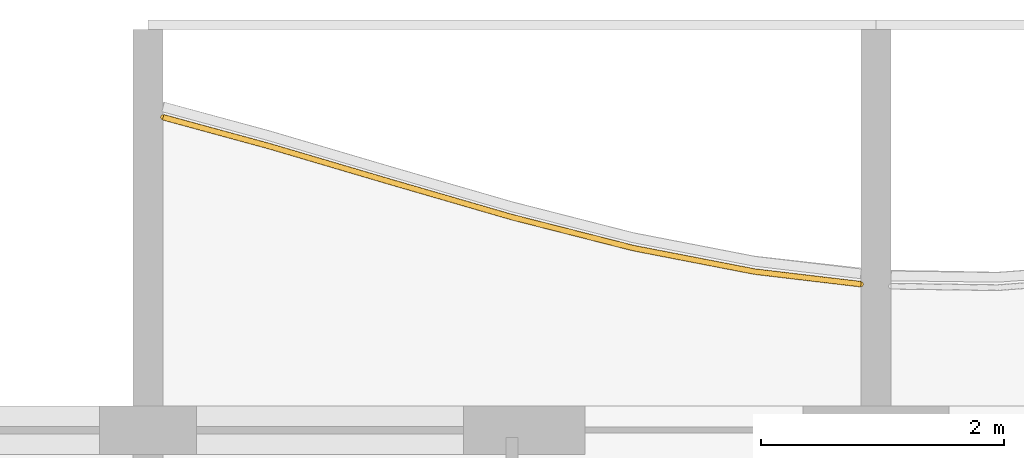
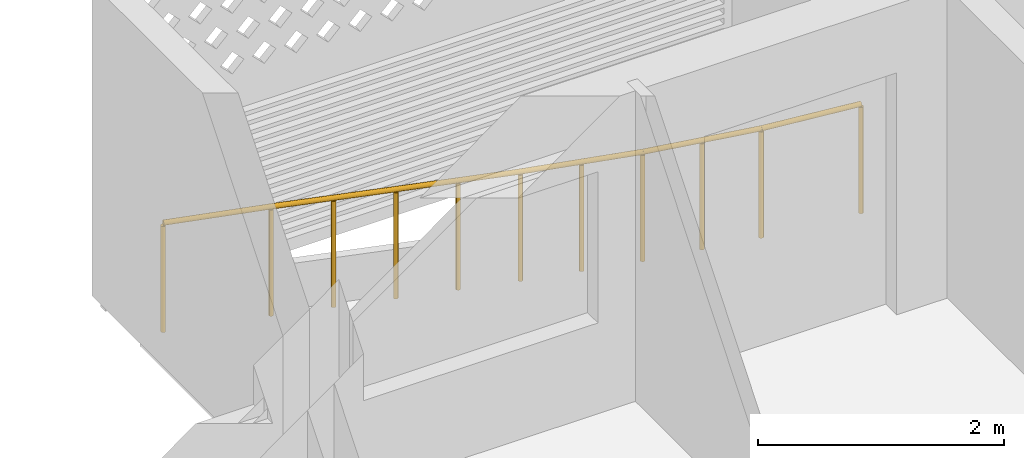
# One storey, part 20 of 27: 1 railing.
"""IFC4 building model written with IfcOpenShell, lengths in metres."""

from ifc_helpers import new_model, si_unit, direction, frame, origin, origin_2d, place, context, subcontext, project, spatial, circle, extrude, material, type_object, element, save


model = new_model("IFC4")

# Units and contexts
model_context = context("Model", 3, precision=1e-05, world=origin(), true_north=direction((0.0, 1.0)))
body_context = subcontext(model_context, "Body", "Model", "MODEL_VIEW")
ifc_project = project(units=[si_unit("LENGTHUNIT", "METRE"), si_unit("AREAUNIT", "SQUARE_METRE"), si_unit("VOLUMEUNIT", "CUBIC_METRE"), si_unit("PLANEANGLEUNIT", "RADIAN"), si_unit("MASSUNIT", "GRAM", prefix="KILO")], contexts=[model_context])

# Site, building, storey
site_placement = place(None, origin())
site = spatial("IfcSite", under=ifc_project, at=site_placement, CompositionType="ELEMENT")
building_placement = place(site_placement, origin())
building = spatial("IfcBuilding", under=site, at=building_placement, Name="Poui Terraces", CompositionType="ELEMENT")
storey_placement = place(building_placement, frame((0.0, 0.0, 254.39990234375)))
storey = spatial("IfcBuildingStorey", under=building, at=storey_placement, Name="L71", CompositionType="ELEMENT", Elevation=254.39990234375)

# Railing
ifc_material = material(Name="Painted steel fretwork", Category="steel")
railing_type = type_object("IfcRailingType", Name="BALCONY GUARD 1100", PredefinedType="GUARDRAIL", material=ifc_material)
railing_placement = place(storey_placement, frame((48.125, 43.77880859375, 0.0)))
element("IfcRailing", 1, at=railing_placement, inside=storey, type_object=railing_type, Name="BALCONY GUARD", PredefinedType="GUARDRAIL", context=body_context, shape_type="SweptSolid", body=[
    extrude(circle(Radius=0.02392578125, at=origin_2d()), frame((0.0, 0.0, 1.076171875), z_axis=(0.964794875477, -0.263003513767, 0.0), x_axis=(0.263003513767, 0.964794875477, 0.0)), (0.0, 0.0, 1.0), 0.906982421875),
    extrude(circle(Radius=0.02392578125, at=origin_2d()), frame((0.875, -0.238525390625, 1.076171875), z_axis=(0.959156425707, -0.282876211488, 0.0), x_axis=(0.282876211488, 0.959156425707, 0.0)), (0.0, 0.0, 1.0), 1.04248046875),
    extrude(circle(Radius=0.02392578125, at=origin_2d()), frame((1.875, -0.533447265625, 1.076171875), z_axis=(0.960419102414, -0.278559056071, 0.0), x_axis=(0.278559056071, 0.960419102414, 0.0)), (0.0, 0.0, 1.0), 1.041259765625),
    extrude(circle(Radius=0.02392578125, at=origin_2d()), frame((2.875, -0.823486328125, 1.076171875), z_axis=(0.969018976325, -0.246986282052, 0.0), x_axis=(0.246986282052, 0.969018976325, 0.0)), (0.0, 0.0, 1.0), 1.031982421875),
    extrude(circle(Radius=0.02392578125, at=origin_2d()), frame((3.875, -1.078369140625, 1.076171875), z_axis=(0.981724998512, -0.190305090044, 0.0), x_axis=(0.190305090044, 0.981724998512, 0.0)), (0.0, 0.0, 1.0), 1.0185546875),
    extrude(circle(Radius=0.02392578125, at=origin_2d()), frame((4.875, -1.272216796875, 1.076171875), z_axis=(0.993074741363, -0.117484288599, 0.0), x_axis=(0.117484288599, 0.993074741363, 0.0)), (0.0, 0.0, 1.0), 0.881103515625),
    extrude(circle(Radius=0.02099609375, at=origin_2d()), origin(), (0.0, 0.0, 1.0), 1.052001953125),
    extrude(circle(Radius=0.02099609375, at=origin_2d()), frame((0.875, -0.238525390625, 0.0)), (0.0, 0.0, 1.0), 1.052001953125),
    extrude(circle(Radius=0.02099609375, at=origin_2d()), frame((1.375, -0.385986328125, 0.0)), (0.0, 0.0, 1.0), 1.052001953125),
    extrude(circle(Radius=0.02099609375, at=origin_2d()), frame((1.875, -0.533447265625, 0.0)), (0.0, 0.0, 1.0), 1.052001953125),
    extrude(circle(Radius=0.02099609375, at=origin_2d()), frame((2.375, -0.678466796875, 0.0)), (0.0, 0.0, 1.0), 1.052001953125),
    extrude(circle(Radius=0.02099609375, at=origin_2d()), frame((2.875, -0.823486328125, 0.0)), (0.0, 0.0, 1.0), 1.052001953125),
    extrude(circle(Radius=0.02099609375, at=origin_2d()), frame((3.375, -0.950927734375, 0.0)), (0.0, 0.0, 1.0), 1.052001953125),
    extrude(circle(Radius=0.02099609375, at=origin_2d()), frame((3.875, -1.078369140625, 0.0)), (0.0, 0.0, 1.0), 1.052001953125),
    extrude(circle(Radius=0.02099609375, at=origin_2d()), frame((4.375, -1.17529296875, 0.0)), (0.0, 0.0, 1.0), 1.052001953125),
    extrude(circle(Radius=0.02099609375, at=origin_2d()), frame((4.875, -1.272216796875, 0.0)), (0.0, 0.0, 1.0), 1.052001953125),
    extrude(circle(Radius=0.02099609375, at=origin_2d()), frame((5.75, -1.375732421875, 0.0)), (0.0, 0.0, 1.0), 1.052001953125),
])

save(model, "model.ifc")
